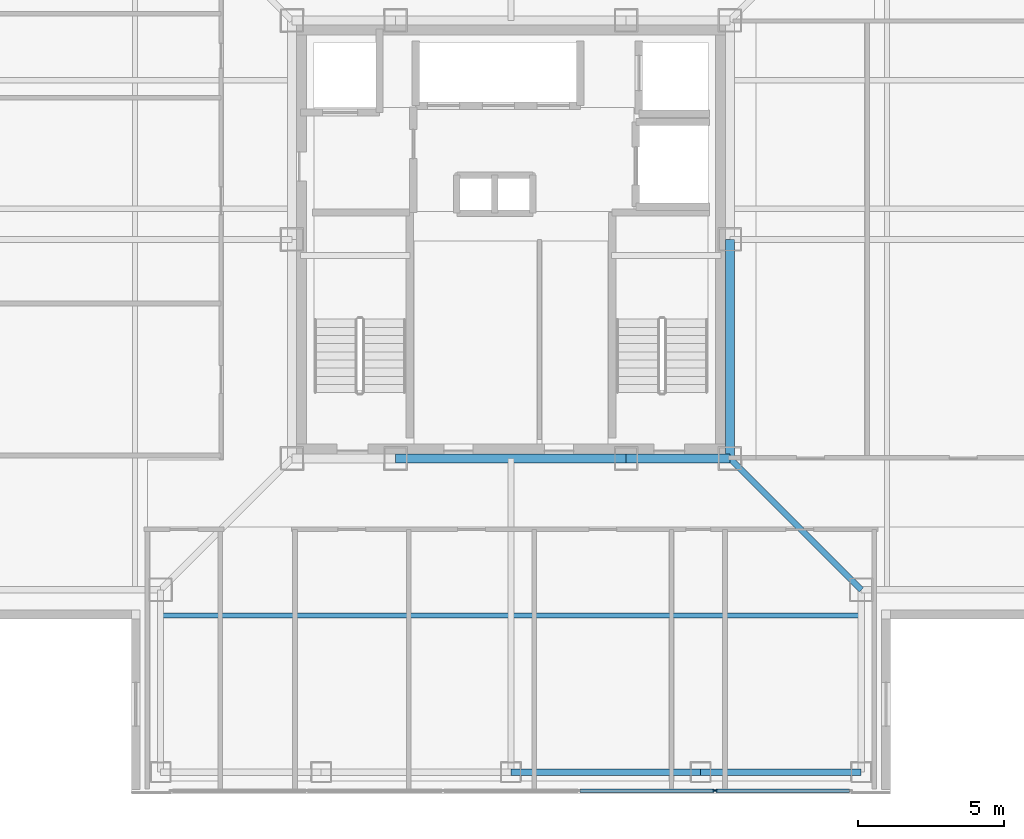
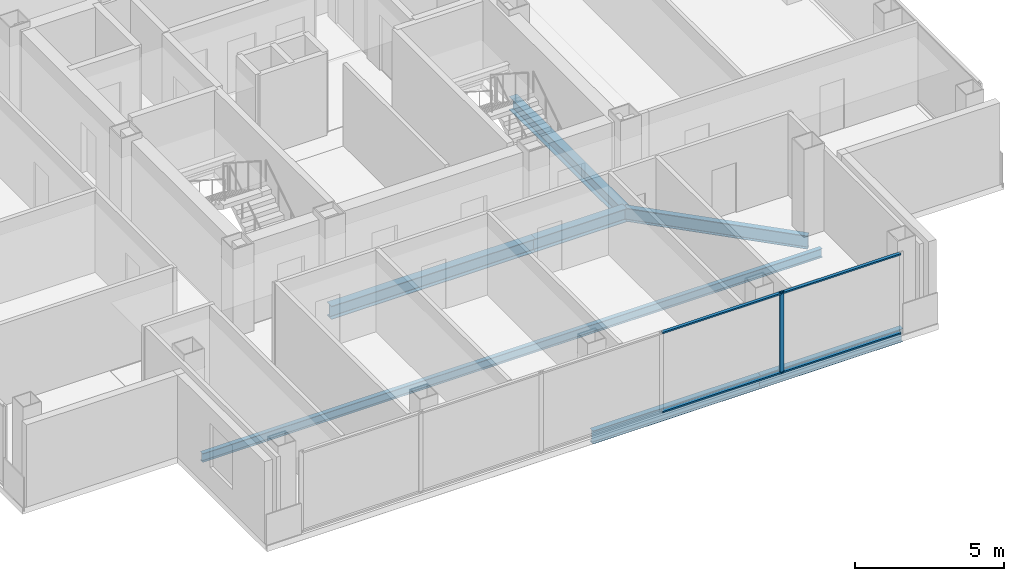
# One storey, part 3 of 13: 7 beams, 5 members, 1 element without a shape of its own.
"""IFC4 building model written with IfcOpenShell, lengths in metres."""

from ifc_helpers import new_model, si_unit, direction, frame, origin, origin_2d, place, context, subcontext, project, spatial, rectangle, i_section, extrude, material, layer, layer_set, material_profile, profile_set, type_object, element, aggregate, save


model = new_model("IFC4")

# Units and contexts
model_context = context("Model", 3, precision=1e-05, world=origin(), true_north=direction((0.0, 1.0)))
body_context = subcontext(model_context, "Body", "Model", "MODEL_VIEW")
ifc_project = project(units=[si_unit("LENGTHUNIT", "METRE"), si_unit("AREAUNIT", "SQUARE_METRE"), si_unit("VOLUMEUNIT", "CUBIC_METRE"), si_unit("PLANEANGLEUNIT", "RADIAN"), si_unit("MASSUNIT", "GRAM", prefix="KILO")], contexts=[model_context])

# Site, building, storey
site_placement = place(None, origin())
site = spatial("IfcSite", under=ifc_project, at=site_placement, CompositionType="ELEMENT")
building_placement = place(site_placement, origin())
building = spatial("IfcBuilding", under=site, at=building_placement, Name="Trevonay Congress Spire", CompositionType="ELEMENT")
storey_placement = place(building_placement, frame((0.0, 0.0, 286.39990234375)))
storey = spatial("IfcBuildingStorey", under=building, at=storey_placement, Name="L75", CompositionType="ELEMENT", Elevation=286.39990234375)

# Beams
ifc_material_1 = material(Name="Steel ASTM A572 Grade 50", Category="steel")
ifc_material_profile_1 = material_profile(ifc_material_1, i_section(OverallWidth=0.2119140625, OverallDepth=0.5439453125, WebThickness=0.01318359375, FlangeThickness=0.021240234375, FilletRadius=0.014892578125, at=origin_2d()), Name="W530x123")
ifc_profile_set_1 = profile_set([ifc_material_profile_1], Name="Steel ASTM A572 Grade 50")
beam_type_1 = type_object("IfcBeamType", Name="BM-GIRD-W530X123", PredefinedType="BEAM", material=ifc_profile_set_1)
beam_1_placement = place(storey_placement, frame((7.5, -7.5, -0.511962890625), z_axis=(0.707106781187, -0.707106781187, 0.0), x_axis=(0.707106781187, 0.707106781187, 0.0)))
element("IfcBeam", 1, at=beam_1_placement, inside=storey, type_object=beam_type_1, Name="L75 structural beam BM-L75-CDSE", PredefinedType="BEAM", context=body_context, shape_type="SweptSolid", body=[
    extrude(i_section(OverallWidth=0.2119140625, OverallDepth=0.5439453125, WebThickness=0.01318359375, FlangeThickness=0.021240234375, FilletRadius=0.014892578125, at=origin_2d()), origin(), (0.0, 0.0, 1.0), 6.364013671875),
])
ifc_material_profile_2 = material_profile(ifc_material_1, i_section(OverallWidth=0.31201171875, OverallDepth=0.54296875, WebThickness=0.0126953125, FlangeThickness=0.020263671875, FilletRadius=0.014892578125, at=origin_2d()), Name="W530x150")
ifc_profile_set_2 = profile_set([ifc_material_profile_2], Name="Steel ASTM A572 Grade 50")
beam_type_2 = type_object("IfcBeamType", Name="BM-GIRD-W530X150", PredefinedType="BEAM", material=ifc_profile_set_2)
beam_2_placement = place(storey_placement, frame((-3.949951171875, -7.5, -0.511474609375), z_axis=(1.0, 0.0, 0.0), x_axis=(0.0, 1.0, 0.0)))
element("IfcBeam", 2, at=beam_2_placement, inside=storey, type_object=beam_type_2, Name="L75 structural beam BM-L75-CR-S2", PredefinedType="BEAM", context=body_context, shape_type="SweptSolid", body=[
    extrude(i_section(OverallWidth=0.31201171875, OverallDepth=0.54296875, WebThickness=0.0126953125, FlangeThickness=0.020263671875, FilletRadius=0.014892578125, at=origin_2d()), origin(), (0.0, 0.0, 1.0), 7.89990234375),
])
beam_3_placement = place(storey_placement, frame((3.949951171875, -7.5, -0.511474609375), z_axis=(1.0, 0.0, 0.0), x_axis=(0.0, 1.0, 0.0)))
element("IfcBeam", 3, at=beam_3_placement, inside=storey, type_object=beam_type_2, Name="L75 structural beam BM-L75-CR-S3", PredefinedType="BEAM", context=body_context, shape_type="SweptSolid", body=[
    extrude(i_section(OverallWidth=0.31201171875, OverallDepth=0.54296875, WebThickness=0.0126953125, FlangeThickness=0.020263671875, FilletRadius=0.014892578125, at=origin_2d()), origin(), (0.0, 0.0, 1.0), 3.550048828125),
])
beam_4_placement = place(storey_placement, frame((7.5, -7.5, -0.511474609375), z_axis=(0.0, 1.0, 0.0), x_axis=(-1.0, 0.0, 0.0)))
element("IfcBeam", 4, at=beam_4_placement, inside=storey, type_object=beam_type_2, Name="L75 structural beam BM-L75-CR-E1", PredefinedType="BEAM", context=body_context, shape_type="SweptSolid", body=[
    extrude(i_section(OverallWidth=0.31201171875, OverallDepth=0.54296875, WebThickness=0.0126953125, FlangeThickness=0.020263671875, FilletRadius=0.014892578125, at=origin_2d()), origin(), (0.0, 0.0, 1.0), 7.5),
])
ifc_material_profile_3 = material_profile(ifc_material_1, i_section(OverallWidth=0.208984375, OverallDepth=0.532958984375, WebThickness=0.01025390625, FlangeThickness=0.015625, FilletRadius=0.014892578125, at=origin_2d()), Name="W530x92")
ifc_profile_set_3 = profile_set([ifc_material_profile_3], Name="Steel ASTM A572 Grade 50")
beam_type_3 = type_object("IfcBeamType", Name="BM-RING-W530X92", PredefinedType="BEAM", material=ifc_profile_set_3)
beam_5_placement = place(storey_placement, frame((0.0, -18.25, -0.50634765625), z_axis=(1.0, 0.0, 0.0), x_axis=(0.0, 1.0, 0.0)))
element("IfcBeam", 5, at=beam_5_placement, inside=storey, type_object=beam_type_3, Name="L75 structural beam BM-L75-PS3", PredefinedType="BEAM", context=body_context, shape_type="SweptSolid", body=[
    extrude(i_section(OverallWidth=0.208984375, OverallDepth=0.532958984375, WebThickness=0.01025390625, FlangeThickness=0.015625, FilletRadius=0.014892578125, at=origin_2d()), origin(), (0.0, 0.0, 1.0), 6.5),
])
beam_6_placement = place(storey_placement, frame((6.5, -18.25, -0.50634765625), z_axis=(1.0, 0.0, 0.0), x_axis=(0.0, 1.0, 0.0)))
element("IfcBeam", 6, at=beam_6_placement, inside=storey, type_object=beam_type_3, Name="L75 structural beam BM-L75-PS4", PredefinedType="BEAM", context=body_context, shape_type="SweptSolid", body=[
    extrude(i_section(OverallWidth=0.208984375, OverallDepth=0.532958984375, WebThickness=0.01025390625, FlangeThickness=0.015625, FilletRadius=0.014892578125, at=origin_2d()), origin(), (0.0, 0.0, 1.0), 5.5),
])

# Curtain wall, members
ifc_material_2 = material(Name="Pale Anodised Aluminium EN AW-6063-T6", Category="aluminium")
ifc_layer = layer(ifc_material_2, 0.1650390625, Name="Pale Anodised Aluminium EN AW-6063-T6")
ifc_layer_set = layer_set([ifc_layer], Name="Pale Anodised Aluminium EN AW-6063-T6")
curtain_wall_type = type_object("IfcCurtainWallType", Name="CW-SYS05-DIPLOM-PALE-METAL", PredefinedType="NOTDEFINED", material=ifc_layer_set)
curtain_wall_placement = place(storey_placement, origin())
curtain_wall = element("IfcCurtainWall", 7, at=curtain_wall_placement, inside=storey, type_object=curtain_wall_type, Name="L75 S unitised curtain wall", PredefinedType="NOTDEFINED")
ifc_material_profile_4 = material_profile(ifc_material_2, rectangle(XDim=0.06005859375, YDim=0.159912109375, at=origin_2d()), Name="CW-MULLION-160-ALUMINIUM")
ifc_profile_set_4 = profile_set([ifc_material_profile_4], Name="Pale Anodised Aluminium EN AW-6063-T6")
member_type_1 = type_object("IfcMemberType", Name="CW-MULLION-160-ALUMINIUM", PredefinedType="MULLION", material=ifc_profile_set_4)
member_1_placement = place(storey_placement, frame((6.989990234375, -18.8798828125, 0.0), z_axis=(0.0, 0.0, 1.0), x_axis=(0.0, 1.0, 0.0)))
member_1 = element("IfcMember", 8, at=member_1_placement, type_object=member_type_1, Name="CW05 mullion 5", PredefinedType="MULLION", context=body_context, shape_type="SweptSolid", body=[
    extrude(rectangle(XDim=0.06005859375, YDim=0.159912109375, at=origin_2d()), origin(), (0.0, 0.0, 1.0), 3.360107421875),
])
ifc_material_profile_5 = material_profile(ifc_material_2, rectangle(XDim=0.1201171875, YDim=0.06005859375, at=origin_2d()), Name="CW-TRANSOM-120-ALUMINIUM")
ifc_profile_set_5 = profile_set([ifc_material_profile_5], Name="Pale Anodised Aluminium EN AW-6063-T6")
member_type_2 = type_object("IfcMemberType", Name="CW-TRANSOM-120-ALUMINIUM", PredefinedType="USERDEFINED", material=ifc_profile_set_5)
member_2_placement = place(storey_placement, frame((2.360107421875, -18.8798828125, 0.06005859375), z_axis=(1.0, 0.0, 0.0), x_axis=(0.0, 1.0, 0.0)))
member_2 = element("IfcMember", 9, at=member_2_placement, type_object=member_type_2, Name="CW05 transom 4.1", ObjectType="TRANSOM", PredefinedType="USERDEFINED", context=body_context, shape_type="SweptSolid", body=[
    extrude(rectangle(XDim=0.1201171875, YDim=0.06005859375, at=origin_2d()), origin(), (0.0, 0.0, 1.0), 4.599853515625),
])
member_3_placement = place(storey_placement, frame((2.360107421875, -18.8798828125, 3.300048828125), z_axis=(1.0, 0.0, 0.0), x_axis=(0.0, 1.0, 0.0)))
member_3 = element("IfcMember", 10, at=member_3_placement, type_object=member_type_2, Name="CW05 transom 4.2", ObjectType="TRANSOM", PredefinedType="USERDEFINED", context=body_context, shape_type="SweptSolid", body=[
    extrude(rectangle(XDim=0.1201171875, YDim=0.06005859375, at=origin_2d()), origin(), (0.0, 0.0, 1.0), 4.599853515625),
])
member_4_placement = place(storey_placement, frame((7.02001953125, -18.8798828125, 0.06005859375), z_axis=(1.0, 0.0, 0.0), x_axis=(0.0, 1.0, 0.0)))
member_4 = element("IfcMember", 11, at=member_4_placement, type_object=member_type_2, Name="CW05 transom 5.1", ObjectType="TRANSOM", PredefinedType="USERDEFINED", context=body_context, shape_type="SweptSolid", body=[
    extrude(rectangle(XDim=0.1201171875, YDim=0.06005859375, at=origin_2d()), origin(), (0.0, 0.0, 1.0), 4.570068359375),
])
member_5_placement = place(storey_placement, frame((7.02001953125, -18.8798828125, 3.300048828125), z_axis=(1.0, 0.0, 0.0), x_axis=(0.0, 1.0, 0.0)))
member_5 = element("IfcMember", 12, at=member_5_placement, type_object=member_type_2, Name="CW05 transom 5.2", ObjectType="TRANSOM", PredefinedType="USERDEFINED", context=body_context, shape_type="SweptSolid", body=[
    extrude(rectangle(XDim=0.1201171875, YDim=0.06005859375, at=origin_2d()), origin(), (0.0, 0.0, 1.0), 4.570068359375),
])
aggregate(curtain_wall, [member_1, member_2, member_3, member_4, member_5])

# Beam
ifc_material_profile_6 = material_profile(ifc_material_1, i_section(OverallWidth=0.172119140625, OverallDepth=0.35791015625, WebThickness=0.0078125, FlangeThickness=0.01318359375, FilletRadius=0.011962890625, at=origin_2d()), Name="W360x57.8")
ifc_profile_set_6 = profile_set([ifc_material_profile_6], Name="Steel ASTM A572 Grade 50")
beam_type_4 = type_object("IfcBeamType", Name="JS-COMP-W360X57", PredefinedType="JOIST", material=ifc_profile_set_6)
beam_7_placement = place(storey_placement, frame((-12.0, -12.875, -0.4189453125), z_axis=(1.0, 0.0, 0.0), x_axis=(0.0, 1.0, 0.0)))
element("IfcBeam", 13, at=beam_7_placement, inside=storey, type_object=beam_type_4, Name="L75 structural beam JS-L75-RING-S", PredefinedType="JOIST", context=body_context, shape_type="SweptSolid", body=[
    extrude(i_section(OverallWidth=0.172119140625, OverallDepth=0.35791015625, WebThickness=0.0078125, FlangeThickness=0.01318359375, FilletRadius=0.011962890625, at=origin_2d()), origin(), (0.0, 0.0, 1.0), 24.0),
])

save(model, "model.ifc")
